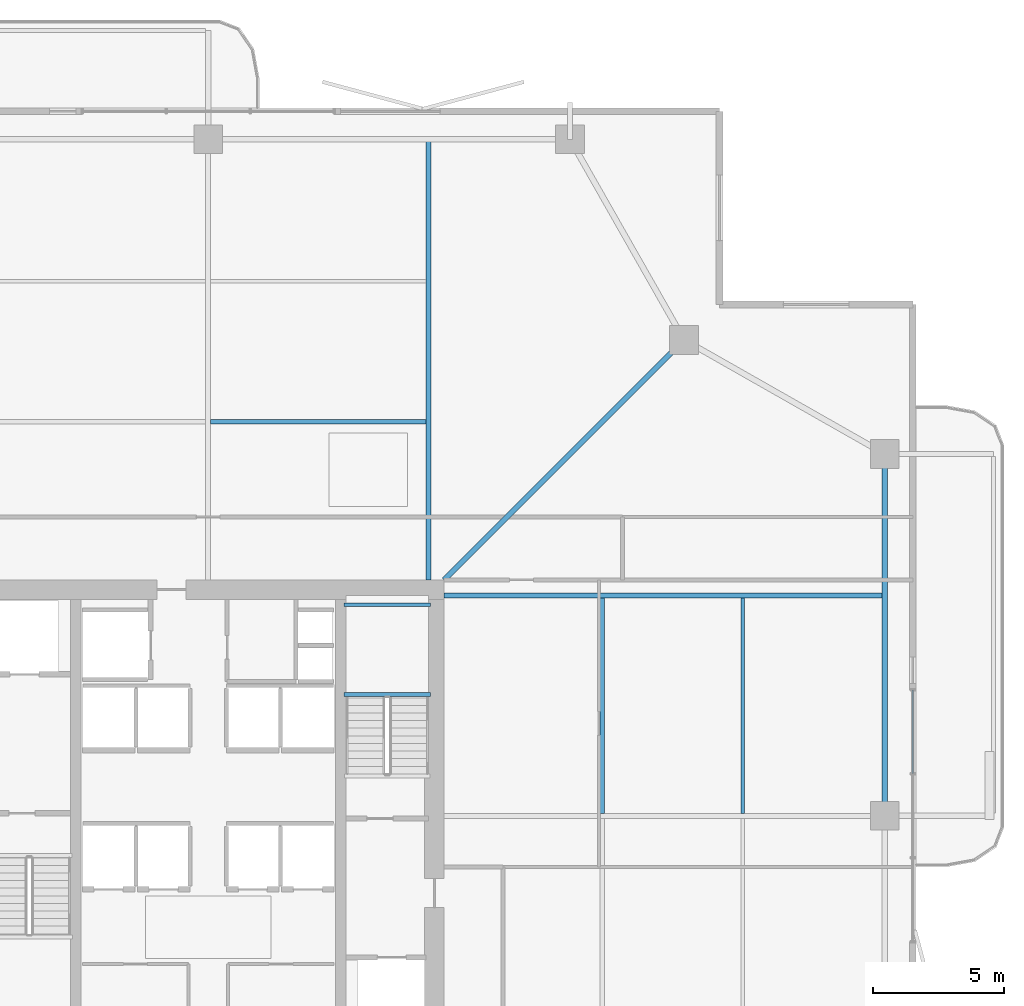
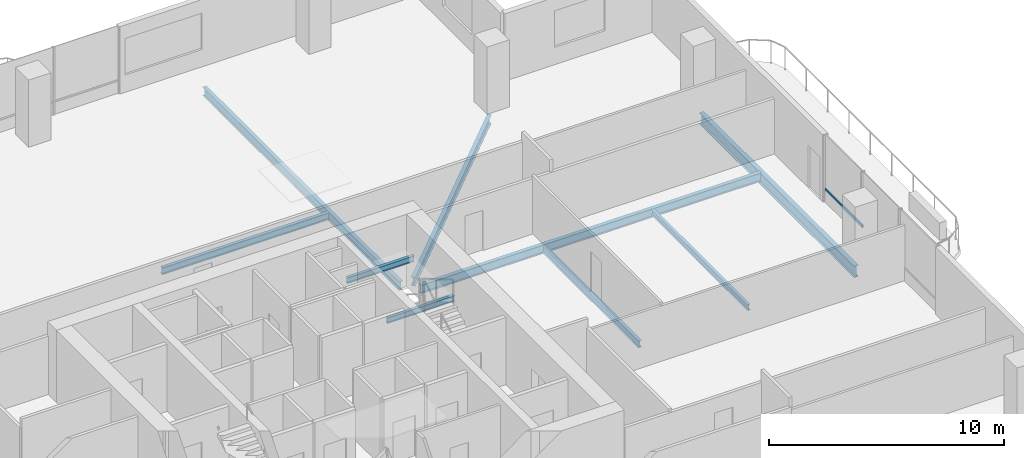
# One storey, part 12 of 24: 9 beams, 1 member, 1 element without a shape of its own.
"""IFC4 building model written with IfcOpenShell, lengths in metres."""

from ifc_helpers import new_model, si_unit, direction, frame, origin, origin_2d, place, context, subcontext, project, spatial, hollow_rectangle, i_section, extrude, material, layer, layer_set, material_profile, profile_set, type_object, element, aggregate, save


model = new_model("IFC4")

# Units and contexts
model_context = context("Model", 3, precision=1e-05, world=origin(), true_north=direction((0.0, 1.0)))
body_context = subcontext(model_context, "Body", "Model", "MODEL_VIEW")
ifc_project = project(units=[si_unit("LENGTHUNIT", "METRE"), si_unit("AREAUNIT", "SQUARE_METRE"), si_unit("VOLUMEUNIT", "CUBIC_METRE"), si_unit("PLANEANGLEUNIT", "RADIAN"), si_unit("MASSUNIT", "GRAM", prefix="KILO")], contexts=[model_context])

# Site, building, storey
site_placement = place(None, origin())
site = spatial("IfcSite", under=ifc_project, at=site_placement, CompositionType="ELEMENT")
building_placement = place(site_placement, origin())
building = spatial("IfcBuilding", under=site, at=building_placement, Name="Belovzor Exchange Tower", CompositionType="ELEMENT")
storey_placement = place(building_placement, frame((0.0, 0.0, 214.949951171875)))
storey = spatial("IfcBuildingStorey", under=building, at=storey_placement, Name="L53", CompositionType="ELEMENT", Elevation=214.949951171875)

# Beams
ifc_material_1 = material(Name="Steel S355", Category="steel")
ifc_material_profile_1 = material_profile(ifc_material_1, i_section(OverallWidth=0.169921875, OverallDepth=0.360107421875, WebThickness=0.008056640625, FlangeThickness=0.0126953125, at=origin_2d()))
ifc_profile_set_1 = profile_set([ifc_material_profile_1], Name="Steel S355")
beam_type_1 = type_object("IfcBeamType", Name="Secondary Infill Floor Joist IPE 360", PredefinedType="BEAM", material=ifc_profile_set_1)
for number, where, z_axis, x_axis, name in (
    (1, (28.89501953125, 43.827880859375, -0.429931640625), (1.0, 0.0, 0.0), (0.0, 1.0, 0.0), "FJ-360 Secondary Infill Floor Joist IPE 360"),
    (2, (43.827880859375, 28.89501953125, -0.429931640625), (0.0, 1.0, 0.0), (-1.0, 0.0, 0.0), "FJ-360 Secondary Infill Floor Joist IPE 360"),
):
    element("IfcBeam", number, at=place(storey_placement, frame(where, z_axis=z_axis, x_axis=x_axis)), inside=storey, type_object=beam_type_1, Name=name, PredefinedType="BEAM", context=body_context, shape_type="SweptSolid", body=[
        extrude(i_section(OverallWidth=0.169921875, OverallDepth=0.360107421875, WebThickness=0.008056640625, FlangeThickness=0.0126953125, at=origin_2d()), origin(), (0.0, 0.0, 1.0), 8.2099609375),
    ])
ifc_material_2 = material(Name="Steel S355", Category="steel")
ifc_material_profile_2 = material_profile(ifc_material_2, i_section(OverallWidth=0.14990234375, OverallDepth=0.300048828125, WebThickness=0.007080078125, FlangeThickness=0.0107421875, at=origin_2d()))
ifc_profile_set_2 = profile_set([ifc_material_profile_2], Name="Steel S355")
beam_type_2 = type_object("IfcBeamType", Name="Secondary Trim Floor Joist IPE 300", PredefinedType="BEAM", material=ifc_profile_set_2)
for number, where, z_axis, x_axis, name in (
    (3, (37.280029296875, 33.419921875, 1.525146484375), (-1.0, 0.0, 0.0), (0.0, -1.0, 0.0), "FJ-300 Secondary Trim Floor Joist IPE 300"),
    (4, (37.280029296875, 36.85009765625, 1.525146484375), (-1.0, 0.0, 0.0), (0.0, -1.0, 0.0), "FJ-300 Secondary Trim Floor Joist IPE 300"),
):
    element("IfcBeam", number, at=place(storey_placement, frame(where, z_axis=z_axis, x_axis=x_axis)), inside=storey, type_object=beam_type_2, Name=name, PredefinedType="BEAM", context=body_context, shape_type="SweptSolid", body=[
        extrude(i_section(OverallWidth=0.14990234375, OverallDepth=0.300048828125, WebThickness=0.007080078125, FlangeThickness=0.0107421875, at=origin_2d()), origin(), (0.0, 0.0, 1.0), 3.31005859375),
    ])
beam_1_placement = place(storey_placement, frame((49.18701171875, 28.89501953125, -0.39990234375), z_axis=(0.0, 1.0, 0.0), x_axis=(-1.0, 0.0, 0.0)))
element("IfcBeam", 5, at=beam_1_placement, inside=storey, type_object=beam_type_2, Name="FJ-300 Secondary Trim Floor Joist IPE 300", PredefinedType="BEAM", context=body_context, shape_type="SweptSolid", body=[
    extrude(i_section(OverallWidth=0.14990234375, OverallDepth=0.300048828125, WebThickness=0.007080078125, FlangeThickness=0.0107421875, at=origin_2d()), origin(), (0.0, 0.0, 1.0), 8.2099609375),
])

# Curtain wall, member
ifc_material_3 = material(Name="Anodised Aluminium Framing", Category="aluminium")
ifc_layer = layer(ifc_material_3, 0.179931640625)
ifc_layer_set = layer_set([ifc_layer], Name="Anodised Aluminium Framing")
curtain_wall_type = type_object("IfcCurtainWallType", Name="Recessed Loggia Low-Iron Triple-Glazed Curtain Wall", PredefinedType="NOTDEFINED", material=ifc_layer_set)
curtain_wall_placement = place(storey_placement, origin())
curtain_wall = element("IfcCurtainWall", 6, at=curtain_wall_placement, inside=storey, type_object=curtain_wall_type, Name="CW3 Recessed Loggia Low-Iron Triple-Glazed Curtain Wall L53", PredefinedType="NOTDEFINED")
ifc_material_4 = material(Name="Steel S355", Category="steel")
ifc_material_profile_3 = material_profile(ifc_material_4, hollow_rectangle(XDim=0.06005859375, YDim=0.14990234375, WallThickness=0.00390625, at=origin_2d()))
ifc_profile_set_3 = profile_set([ifc_material_profile_3], Name="Steel S355")
member_type = type_object("IfcMemberType", Name="Thermally Broken Curtain Wall Transom 150x60", PredefinedType="USERDEFINED", material=ifc_profile_set_3)
member_placement = place(storey_placement, frame((55.669921875, 33.592041015625, 0.630126953125), z_axis=(0.0, -1.0, 0.0), x_axis=(1.0, 0.0, 0.0)))
member = element("IfcMember", 7, at=member_placement, type_object=member_type, Name="CW-T150 Curtain Wall Transom 1", ObjectType="TRANSOM", PredefinedType="USERDEFINED", context=body_context, shape_type="SweptSolid", body=[
    extrude(hollow_rectangle(XDim=0.06005859375, YDim=0.14990234375, WallThickness=0.00390625, at=origin_2d()), origin(), (0.0, 0.0, 1.0), 3.18408203125),
])
aggregate(curtain_wall, [member])

# Beams
ifc_material_5 = material(Name="Steel S355", Category="steel")
ifc_material_profile_4 = material_profile(ifc_material_5, i_section(OverallWidth=0.18994140625, OverallDepth=0.449951171875, WebThickness=0.009521484375, FlangeThickness=0.0146484375, at=origin_2d()))
ifc_profile_set_4 = profile_set([ifc_material_profile_4], Name="Steel S355")
beam_type_3 = type_object("IfcBeamType", Name="Zone 2-4 Radial Composite Floor Beam IPE 450", PredefinedType="BEAM", material=ifc_profile_set_4)
for number, where, z_axis, x_axis, name in (
    (8, (37.199951171875, 37.800048828125, -0.474853515625), (0.0, 1.0, 0.0), (-1.0, 0.0, 0.0), "FB-450 Zone 2-4 Radial Composite Floor Beam IPE 450"),
    (9, (37.800048828125, 37.199951171875, -0.474853515625), (1.0, 0.0, 0.0), (0.0, 1.0, 0.0), "FB-450 Zone 2-4 Radial Composite Floor Beam IPE 450"),
):
    element("IfcBeam", number, at=place(storey_placement, frame(where, z_axis=z_axis, x_axis=x_axis)), inside=storey, type_object=beam_type_3, Name=name, PredefinedType="BEAM", context=body_context, shape_type="SweptSolid", body=[
        extrude(i_section(OverallWidth=0.18994140625, OverallDepth=0.449951171875, WebThickness=0.009521484375, FlangeThickness=0.0146484375, at=origin_2d()), origin(), (0.0, 0.0, 1.0), 16.744873046875),
    ])
beam_2_placement = place(storey_placement, frame((37.800048828125, 37.800048828125, -0.474853515625), z_axis=(0.707106781187, 0.707106781187, 0.0), x_axis=(-0.707106781187, 0.707106781187, 0.0)))
element("IfcBeam", 10, at=beam_2_placement, inside=storey, type_object=beam_type_3, Name="FB-450 Zone 2-4 Radial Composite Floor Beam IPE 450", PredefinedType="BEAM", context=body_context, shape_type="SweptSolid", body=[
    extrude(i_section(OverallWidth=0.18994140625, OverallDepth=0.449951171875, WebThickness=0.009521484375, FlangeThickness=0.0146484375, at=origin_2d()), origin(), (0.0, 0.0, 1.0), 12.551025390625),
])
ifc_material_6 = material(Name="Steel S355", Category="steel")
ifc_material_profile_5 = material_profile(ifc_material_6, i_section(OverallWidth=0.219970703125, OverallDepth=0.60009765625, WebThickness=0.011962890625, FlangeThickness=0.01904296875, at=origin_2d()))
ifc_profile_set_5 = profile_set([ifc_material_profile_5], Name="Steel S355")
beam_type_4 = type_object("IfcBeamType", Name="Zone 4 Flare Primary Girder IPE 600", PredefinedType="BEAM", material=ifc_profile_set_5)
beam_3_placement = place(storey_placement, frame((54.60009765625, 29.10205078125, -0.550048828125), z_axis=(0.0, 1.0, 0.0), x_axis=(-1.0, 0.0, 0.0)))
element("IfcBeam", 11, at=beam_3_placement, inside=storey, type_object=beam_type_4, Name="FG-Z4 Zone 4 Flare Primary Girder IPE 600", PredefinedType="BEAM", context=body_context, shape_type="SweptSolid", body=[
    extrude(i_section(OverallWidth=0.219970703125, OverallDepth=0.60009765625, WebThickness=0.011962890625, FlangeThickness=0.01904296875, at=origin_2d()), origin(), (0.0, 0.0, 1.0), 13.195068359375),
])

save(model, "model.ifc")
